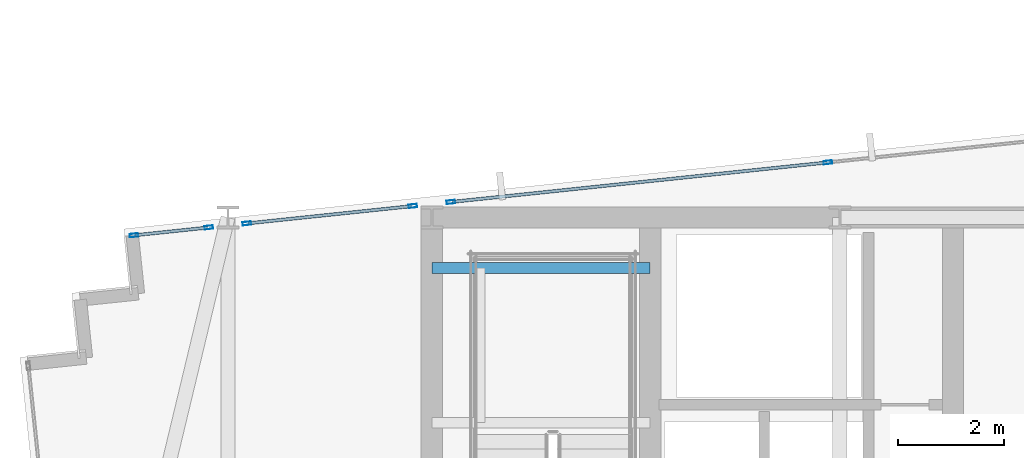
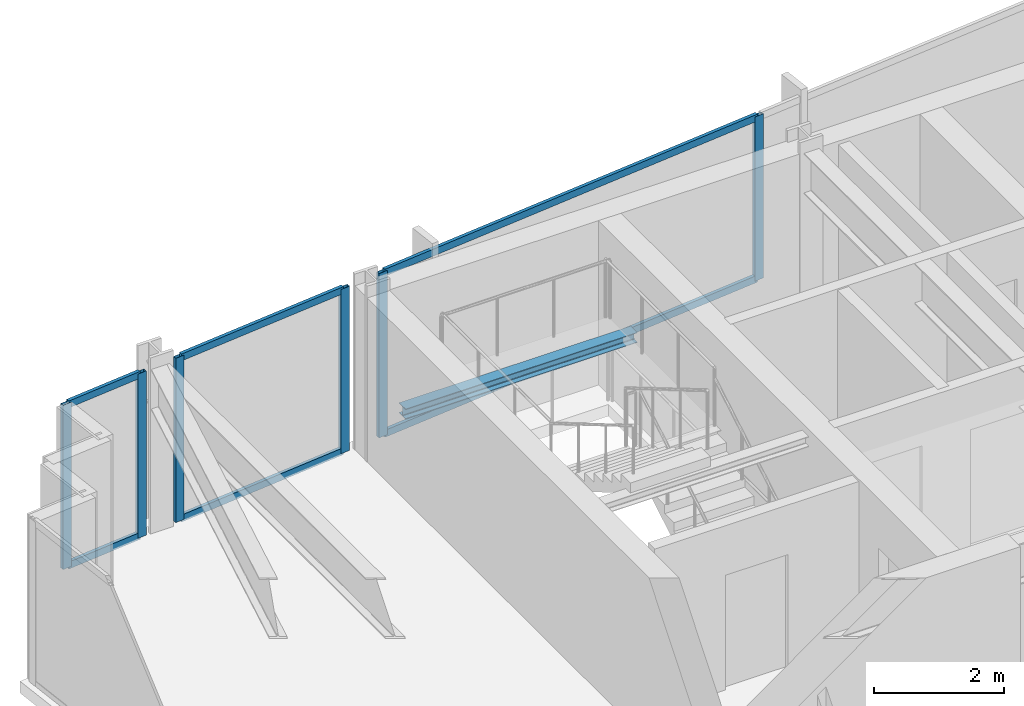
# One storey, part 20 of 33: 12 members, 1 beam, 3 elements without a shape of their own.
"""IFC4 building model written with IfcOpenShell, lengths in metres."""

from ifc_helpers import new_model, si_unit, direction, frame, origin, origin_2d, place, context, subcontext, project, spatial, hollow_rectangle, i_section, extrude, material, material_profile, profile_set, type_object, element, aggregate, save


model = new_model("IFC4")

# Units and contexts
model_context = context("Model", 3, precision=1e-05, world=origin(), true_north=direction((0.0, 1.0)))
body_context = subcontext(model_context, "Body", "Model", "MODEL_VIEW")
ifc_project = project(units=[si_unit("LENGTHUNIT", "METRE"), si_unit("AREAUNIT", "SQUARE_METRE"), si_unit("VOLUMEUNIT", "CUBIC_METRE"), si_unit("PLANEANGLEUNIT", "RADIAN"), si_unit("MASSUNIT", "GRAM", prefix="KILO")], contexts=[model_context])

# Site, building, storey
site_placement = place(None, origin())
site = spatial("IfcSite", under=ifc_project, at=site_placement, CompositionType="ELEMENT")
building_placement = place(site_placement, origin())
building = spatial("IfcBuilding", under=site, at=building_placement, Name="Yelkora Congress Tower", CompositionType="ELEMENT")
storey_placement = place(building_placement, frame((0.0, 0.0, 237.5)))
storey = spatial("IfcBuildingStorey", under=building, at=storey_placement, Name="L66", CompositionType="ELEMENT", Elevation=237.5)

# Beam
ifc_material_1 = material(Name="Steel S355J2", Category="steel")
ifc_material_profile_1 = material_profile(ifc_material_1, i_section(OverallWidth=0.199951171875, OverallDepth=0.18994140625, WebThickness=0.006591796875, FlangeThickness=0.010009765625, FilletRadius=0.01806640625, at=origin_2d()), Name="HEA 200")
ifc_profile_set_1 = profile_set([ifc_material_profile_1], Name="Steel S355J2")
beam_type = type_object("IfcBeamType", Name="BM-LAND-HEA200", PredefinedType="BEAM", material=ifc_profile_set_1)
beam_placement = place(storey_placement, frame((23.0400390625, 45.25, 1.334716796875), z_axis=(1.0, 0.0, 0.0), x_axis=(0.0, 1.0, 0.0)))
element("IfcBeam", 1, at=beam_placement, inside=storey, type_object=beam_type, Name="ST-01 L66 Landing Header Beam 1N", PredefinedType="BEAM", context=body_context, shape_type="SweptSolid", body=[
    extrude(i_section(OverallWidth=0.199951171875, OverallDepth=0.18994140625, WebThickness=0.006591796875, FlangeThickness=0.010009765625, FilletRadius=0.01806640625, at=origin_2d()), origin(), (0.0, 0.0, 1.0), 4.10986328125),
])

# Curtain wall, members
ifc_material_2 = material(Name="Anodised aluminium and insulated glass", Category="aluminium")
curtain_wall_type = type_object("IfcCurtainWallType", Name="CW-SYS-B4", PredefinedType="NOTDEFINED", material=ifc_material_2)
curtain_wall_1_placement = place(storey_placement, origin())
curtain_wall_1 = element("IfcCurtainWall", 2, at=curtain_wall_1_placement, inside=storey, type_object=curtain_wall_type, Name="L66 Unitised Curtain Wall 10 (1)", PredefinedType="NOTDEFINED")
ifc_material_3 = material(Name="Anodised aluminium 6063-T6", Category="aluminium")
ifc_material_profile_2 = material_profile(ifc_material_3, hollow_rectangle(XDim=0.06494140625, YDim=0.159912109375, WallThickness=0.00390625, at=origin_2d()), Name="ALU 65x160x4")
ifc_profile_set_2 = profile_set([ifc_material_profile_2], Name="Anodised aluminium 6063-T6")
member_type_1 = type_object("IfcMemberType", Name="MEM-ML-B4", PredefinedType="MULLION", material=ifc_profile_set_2)
member_1_placement = place(storey_placement, frame((17.431396484375, 45.865966796875, 0.0), z_axis=(0.0, 0.0, 1.0), x_axis=(-0.104509292244, 0.994523910137, 0.0)))
member_1 = element("IfcMember", 3, at=member_1_placement, type_object=member_type_1, Name="CW-B4 mullion 1", PredefinedType="MULLION", context=body_context, shape_type="SweptSolid", body=[
    extrude(hollow_rectangle(XDim=0.06494140625, YDim=0.159912109375, WallThickness=0.00390625, at=origin_2d()), origin(), (0.0, 0.0, 1.0), 3.080078125),
])
member_2_placement = place(storey_placement, frame((18.841796875, 46.01416015625, 0.0), z_axis=(0.0, 0.0, 1.0), x_axis=(-0.104509292244, 0.994523910137, 0.0)))
member_2 = element("IfcMember", 4, at=member_2_placement, type_object=member_type_1, Name="CW-B4 mullion 2", PredefinedType="MULLION", context=body_context, shape_type="SweptSolid", body=[
    extrude(hollow_rectangle(XDim=0.06494140625, YDim=0.159912109375, WallThickness=0.00390625, at=origin_2d()), origin(), (0.0, 0.0, 1.0), 3.080078125),
])

curtain_wall_2_placement = place(storey_placement, origin())
curtain_wall_2 = element("IfcCurtainWall", 5, at=curtain_wall_2_placement, inside=storey, type_object=curtain_wall_type, Name="L66 Unitised Curtain Wall 10 (2)", PredefinedType="NOTDEFINED")
member_3_placement = place(storey_placement, frame((19.558349609375, 46.089599609375, 0.0), z_axis=(0.0, 0.0, 1.0), x_axis=(-0.104506154437, 0.994524239868, 0.0)))
member_3 = element("IfcMember", 6, at=member_3_placement, type_object=member_type_1, Name="CW-B4 mullion 1", PredefinedType="MULLION", context=body_context, shape_type="SweptSolid", body=[
    extrude(hollow_rectangle(XDim=0.06494140625, YDim=0.159912109375, WallThickness=0.00390625, at=origin_2d()), origin(), (0.0, 0.0, 1.0), 3.080078125),
])
member_4_placement = place(storey_placement, frame((22.681640625, 46.417724609375, 0.0), z_axis=(0.0, 0.0, 1.0), x_axis=(-0.104506154437, 0.994524239868, 0.0)))
member_4 = element("IfcMember", 7, at=member_4_placement, type_object=member_type_1, Name="CW-B4 mullion 2", PredefinedType="MULLION", context=body_context, shape_type="SweptSolid", body=[
    extrude(hollow_rectangle(XDim=0.06494140625, YDim=0.159912109375, WallThickness=0.00390625, at=origin_2d()), origin(), (0.0, 0.0, 1.0), 3.080078125),
])

curtain_wall_3_placement = place(storey_placement, origin())
curtain_wall_3 = element("IfcCurtainWall", 8, at=curtain_wall_3_placement, inside=storey, type_object=curtain_wall_type, Name="L66 Unitised Curtain Wall 10 (3)", PredefinedType="NOTDEFINED")
member_5_placement = place(storey_placement, frame((23.3984375, 46.4931640625, 0.0), z_axis=(0.0, 0.0, 1.0), x_axis=(-0.104527724021, 0.994521973066, 0.0)))
member_5 = element("IfcMember", 9, at=member_5_placement, type_object=member_type_1, Name="CW-B4 mullion 1", PredefinedType="MULLION", context=body_context, shape_type="SweptSolid", body=[
    extrude(hollow_rectangle(XDim=0.06494140625, YDim=0.159912109375, WallThickness=0.00390625, at=origin_2d()), origin(), (0.0, 0.0, 1.0), 3.080078125),
])
member_6_placement = place(storey_placement, frame((30.496826171875, 47.2392578125, 0.0), z_axis=(0.0, 0.0, 1.0), x_axis=(-0.104527724021, 0.994521973066, 0.0)))
member_6 = element("IfcMember", 10, at=member_6_placement, type_object=member_type_1, Name="CW-B4 mullion 2", PredefinedType="MULLION", context=body_context, shape_type="SweptSolid", body=[
    extrude(hollow_rectangle(XDim=0.06494140625, YDim=0.159912109375, WallThickness=0.00390625, at=origin_2d()), origin(), (0.0, 0.0, 1.0), 3.080078125),
])

# Member
ifc_material_profile_3 = material_profile(ifc_material_3, hollow_rectangle(XDim=0.06005859375, YDim=0.1298828125, WallThickness=0.00390625, at=origin_2d()), Name="ALU 60x130x4")
ifc_profile_set_3 = profile_set([ifc_material_profile_3], Name="Anodised aluminium 6063-T6")
member_type_2 = type_object("IfcMemberType", Name="MEM-TR-B4", PredefinedType="USERDEFINED", material=ifc_profile_set_3)
member_7_placement = place(storey_placement, frame((17.463623046875, 45.869384765625, 0.030029296875), z_axis=(0.994528168538, 0.10446876081, 0.0), x_axis=(-0.10446876081, 0.994528168538, 0.0)))
member_7 = element("IfcMember", 11, at=member_7_placement, type_object=member_type_2, Name="CW-B4 transom 1.1", ObjectType="TRANSOM", PredefinedType="USERDEFINED", context=body_context, shape_type="SweptSolid", body=[
    extrude(hollow_rectangle(XDim=0.06005859375, YDim=0.1298828125, WallThickness=0.00390625, at=origin_2d()), origin(), (0.0, 0.0, 1.0), 1.35302734375),
])

member_8_placement = place(storey_placement, frame((17.463623046875, 45.869384765625, 3.050048828125), z_axis=(0.994528168538, 0.10446876081, 0.0), x_axis=(-0.10446876081, 0.994528168538, 0.0)))
member_8 = element("IfcMember", 12, at=member_8_placement, type_object=member_type_2, Name="CW-B4 transom 1.2", ObjectType="TRANSOM", PredefinedType="USERDEFINED", context=body_context, shape_type="SweptSolid", body=[
    extrude(hollow_rectangle(XDim=0.06005859375, YDim=0.1298828125, WallThickness=0.00390625, at=origin_2d()), origin(), (0.0, 0.0, 1.0), 1.35302734375),
])

aggregate(curtain_wall_1, [member_1, member_2, member_7, member_8])

member_9_placement = place(storey_placement, frame((19.590576171875, 46.093017578125, 0.030029296875), z_axis=(0.994528915126, 0.104461653149, 0.0), x_axis=(-0.104461653149, 0.994528915126, 0.0)))
member_9 = element("IfcMember", 13, at=member_9_placement, type_object=member_type_2, Name="CW-B4 transom 1.1", ObjectType="TRANSOM", PredefinedType="USERDEFINED", context=body_context, shape_type="SweptSolid", body=[
    extrude(hollow_rectangle(XDim=0.06005859375, YDim=0.1298828125, WallThickness=0.00390625, at=origin_2d()), origin(), (0.0, 0.0, 1.0), 3.07568359375),
])

member_10_placement = place(storey_placement, frame((19.590576171875, 46.093017578125, 3.050048828125), z_axis=(0.994528915126, 0.104461653149, 0.0), x_axis=(-0.104461653149, 0.994528915126, 0.0)))
member_10 = element("IfcMember", 14, at=member_10_placement, type_object=member_type_2, Name="CW-B4 transom 1.2", ObjectType="TRANSOM", PredefinedType="USERDEFINED", context=body_context, shape_type="SweptSolid", body=[
    extrude(hollow_rectangle(XDim=0.06005859375, YDim=0.1298828125, WallThickness=0.00390625, at=origin_2d()), origin(), (0.0, 0.0, 1.0), 3.07568359375),
])

aggregate(curtain_wall_2, [member_3, member_4, member_9, member_10])

member_11_placement = place(storey_placement, frame((23.4306640625, 46.49658203125, 0.030029296875), z_axis=(0.994522085625, 0.104526653081, 0.0), x_axis=(-0.104526653081, 0.994522085625, 0.0)))
member_11 = element("IfcMember", 15, at=member_11_placement, type_object=member_type_2, Name="CW-B4 transom 1.1", ObjectType="TRANSOM", PredefinedType="USERDEFINED", context=body_context, shape_type="SweptSolid", body=[
    extrude(hollow_rectangle(XDim=0.06005859375, YDim=0.1298828125, WallThickness=0.00390625, at=origin_2d()), origin(), (0.0, 0.0, 1.0), 7.072509765625),
])

member_12_placement = place(storey_placement, frame((23.4306640625, 46.49658203125, 3.050048828125), z_axis=(0.994522085625, 0.104526653081, 0.0), x_axis=(-0.104526653081, 0.994522085625, 0.0)))
member_12 = element("IfcMember", 16, at=member_12_placement, type_object=member_type_2, Name="CW-B4 transom 1.2", ObjectType="TRANSOM", PredefinedType="USERDEFINED", context=body_context, shape_type="SweptSolid", body=[
    extrude(hollow_rectangle(XDim=0.06005859375, YDim=0.1298828125, WallThickness=0.00390625, at=origin_2d()), origin(), (0.0, 0.0, 1.0), 7.072509765625),
])

aggregate(curtain_wall_3, [member_5, member_6, member_11, member_12])

save(model, "model.ifc")
